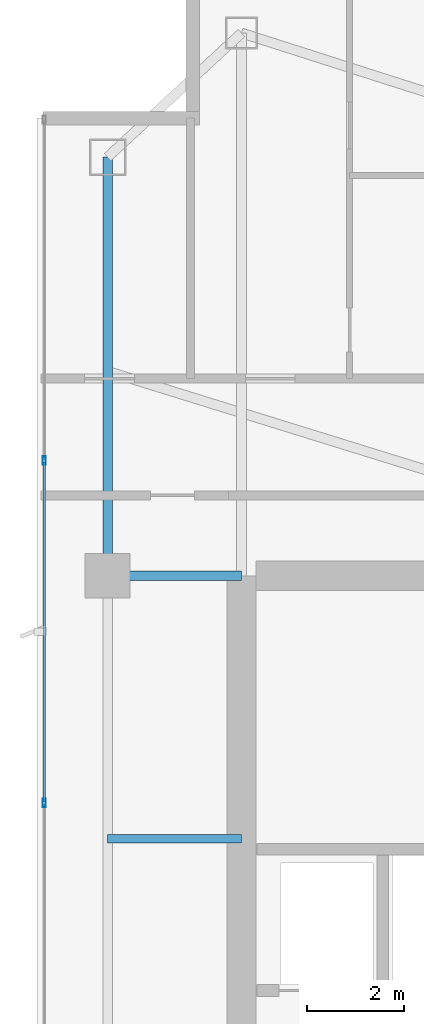
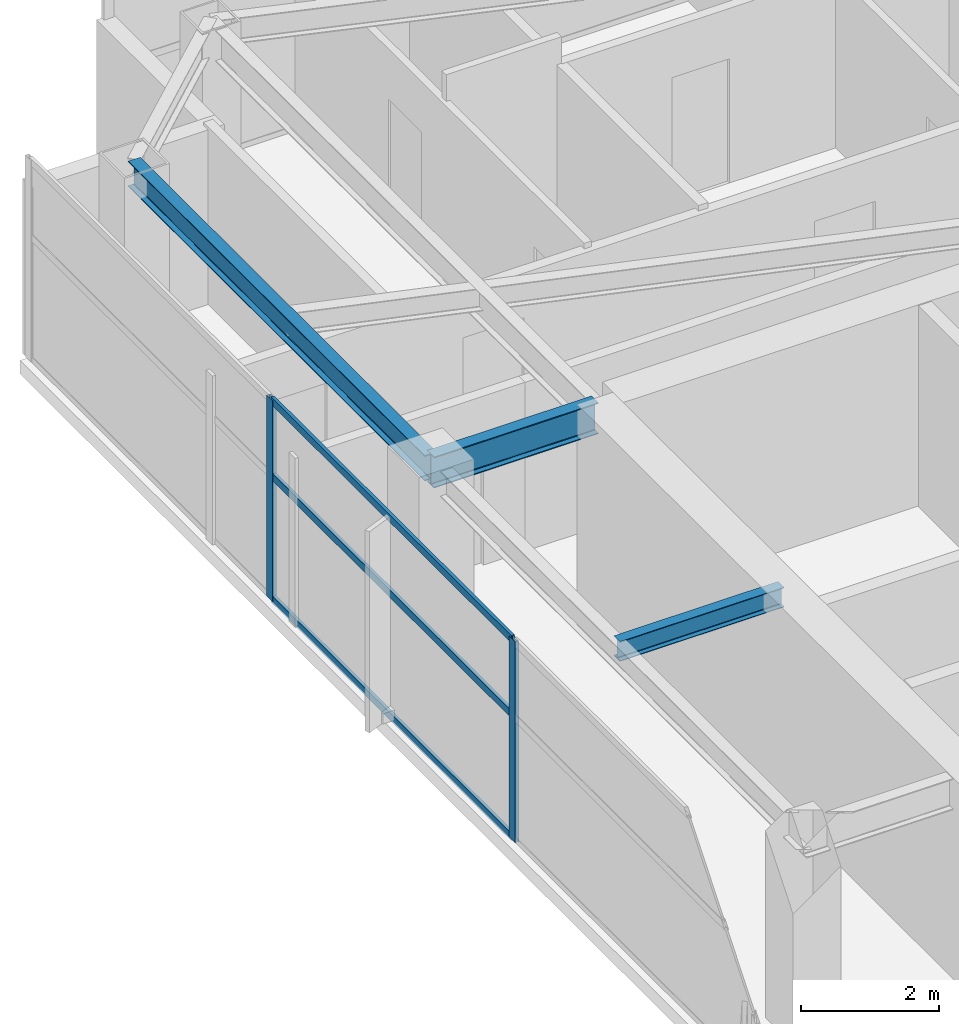
# One storey, part 16 of 27: 5 members, 3 beams, 1 element without a shape of its own.
"""IFC4 building model written with IfcOpenShell, lengths in metres."""

import ifcopenshell
import ifcopenshell.guid

model = None  # the IFC model being written
_history = None  # IfcOwnerHistory: only IFC2X3 demands one
_inside = {}  # id of a spatial element -> (the spatial element, [elements in it])
_under = {}  # id of a project, library or spatial element -> (it, [spatial elements below it])
_declared = {}  # id of a project -> (the project, [libraries it declares])
_typed = {}  # id of a type object -> (the type object, [elements of that type])
_made_of = {}  # id of a material, layer set ... -> (it, [elements and type objects made of it])


def new_model(schema):
    """Start an empty IFC model of exactly this schema.

    Asked for "IFC4X3", IfcOpenShell would pick the latest addendum, in which some entities
    have other attributes; the version numbers below select the first issue.
    IFC2X3 requires an IfcOwnerHistory on every rooted entity: one is made here for all.
    """
    global model, _history
    if schema == "IFC4X3":
        model = ifcopenshell.file(schema_version=(4, 3, 0, 0))
    else:
        model = ifcopenshell.file(schema=schema)
    _inside.clear()
    _under.clear()
    _declared.clear()
    _typed.clear()
    _made_of.clear()
    _history = None
    if model.schema == "IFC2X3":
        org = make("IfcOrganization", Name="unknown")
        user = make(
            "IfcPersonAndOrganization",
            ThePerson=make("IfcPerson", FamilyName="unknown"),
            TheOrganization=org,
        )
        app = make(
            "IfcApplication",
            ApplicationDeveloper=org,
            Version="unknown",
            ApplicationFullName="unknown",
            ApplicationIdentifier="unknown",
        )
        _history = make(
            "IfcOwnerHistory",
            OwningUser=user,
            OwningApplication=app,
            ChangeAction="ADDED",
            CreationDate=0,
        )
    return model


def make(cls, **values):
    """One entity of the class cls with the attributes given. An attribute that is None is left unset."""
    return model.create_entity(
        cls, **{name: value for name, value in values.items() if value is not None}
    )


def rooted(cls, **values):
    """An entity with a GlobalId (a new one), such as an element, a storey or a relation."""
    return make(cls, GlobalId=ifcopenshell.guid.new(), OwnerHistory=_history, **values)


def si_unit(unit_type, name, prefix=None):
    """IfcSIUnit, for example si_unit("LENGTHUNIT", "METRE", prefix="MILLI")."""
    return make("IfcSIUnit", UnitType=unit_type, Prefix=prefix, Name=name)


def assignment(units):
    """IfcUnitAssignment: the units of a project."""
    return None if units is None else make("IfcUnitAssignment", Units=units)


def point(xyz):
    """IfcCartesianPoint."""
    return None if xyz is None else make("IfcCartesianPoint", Coordinates=xyz)


def direction(xyz):
    """IfcDirection."""
    return None if xyz is None else make("IfcDirection", DirectionRatios=xyz)


def frame(location, z_axis=None, x_axis=None):
    """IfcAxis2Placement3D, a coordinate frame: its origin and axes. An axis left out is left unset."""
    return make(
        "IfcAxis2Placement3D",
        Location=point(location),
        Axis=direction(z_axis),
        RefDirection=direction(x_axis),
    )


def frame_2d(location, x_axis=None):
    """IfcAxis2Placement2D, a coordinate frame in the plane: its origin and x axis."""
    return make(
        "IfcAxis2Placement2D", Location=point(location), RefDirection=direction(x_axis)
    )


def origin():
    """The frame at (0, 0, 0) with its axes left unset."""
    return frame((0.0, 0.0, 0.0))


def origin_2d():
    """The frame at (0, 0) in the plane with its x axis left unset."""
    return frame_2d((0.0, 0.0))


def place(relative_to, where):
    """IfcLocalPlacement: puts the frame where relative to a parent placement (None: the world)."""
    return make(
        "IfcLocalPlacement", PlacementRelTo=relative_to, RelativePlacement=where
    )


def context(
    kind, dimensions, precision=None, world=None, true_north=None, identifier=None
):
    """IfcGeometricRepresentationContext, for example the 3D "Model" context."""
    return make(
        "IfcGeometricRepresentationContext",
        ContextIdentifier=identifier,
        ContextType=kind,
        CoordinateSpaceDimension=dimensions,
        Precision=precision,
        WorldCoordinateSystem=world,
        TrueNorth=true_north,
    )


def subcontext(parent, identifier, kind, view, scale=None):
    """IfcGeometricRepresentationSubContext, for example "Body" below "Model"."""
    return make(
        "IfcGeometricRepresentationSubContext",
        ContextIdentifier=identifier,
        ContextType=kind,
        ParentContext=parent,
        TargetScale=scale,
        TargetView=view,
    )


def project(units=None, contexts=None):
    """IfcProject with its units and contexts."""
    return rooted(
        "IfcProject",
        Name="project",
        RepresentationContexts=contexts,
        UnitsInContext=assignment(units),
    )


def spatial(cls, under=None, at=None, **own):
    """A site, building, storey or space (cls), placed at a placement, below another one or the project."""
    s = rooted(cls, ObjectPlacement=at, **own)
    if under is not None:
        _under.setdefault(under.id(), (under, []))[1].append(s)
    return s


def profile(cls, at=None, kind="AREA", **sizes):
    """A parametric profile (cls). Its sizes go by their IFC names, for example OverallWidth=200.0."""
    return make(cls, ProfileType=kind, Position=at, **sizes)


def hollow_rectangle(**sizes):
    """IfcRectangleHollowProfileDef."""
    return profile("IfcRectangleHollowProfileDef", **sizes)


def i_section(**sizes):
    """IfcIShapeProfileDef."""
    return profile("IfcIShapeProfileDef", **sizes)


def extrude(swept, where, along, depth):
    """IfcExtrudedAreaSolid: the profile swept, set in the frame where, extruded along a direction by depth."""
    return make(
        "IfcExtrudedAreaSolid",
        SweptArea=swept,
        Position=where,
        ExtrudedDirection=direction(along),
        Depth=depth,
    )


def shape(context_of_items, identifier, shape_type, items):
    """IfcShapeRepresentation: the items that make up one representation, for example the "Body"."""
    return make(
        "IfcShapeRepresentation",
        ContextOfItems=context_of_items,
        RepresentationIdentifier=identifier,
        RepresentationType=shape_type,
        Items=items,
    )


def material(Name=None, Category=None):
    """IfcMaterial."""
    return make("IfcMaterial", Name=Name, Category=Category)


def layer(
    of_material, thickness, ventilated=None, Name=None, Category=None, Priority=None
):
    """IfcMaterialLayer: one layer of a wall or slab, of a material (None: an air gap)."""
    return make(
        "IfcMaterialLayer",
        Material=of_material,
        LayerThickness=thickness,
        IsVentilated=ventilated,
        Name=Name,
        Category=Category,
        Priority=Priority,
    )


def layer_set(layers, Name=None):
    """IfcMaterialLayerSet."""
    return make("IfcMaterialLayerSet", MaterialLayers=layers, LayerSetName=Name)


def material_profile(
    of_material, cross_section, Name=None, Category=None, Priority=None
):
    """IfcMaterialProfile: a cross section and its material."""
    return make(
        "IfcMaterialProfile",
        Name=Name,
        Material=of_material,
        Profile=cross_section,
        Priority=Priority,
        Category=Category,
    )


def profile_set(profiles, Name=None, composite=None):
    """IfcMaterialProfileSet."""
    return make(
        "IfcMaterialProfileSet",
        Name=Name,
        MaterialProfiles=profiles,
        CompositeProfile=composite,
    )


def made_of(thing, what):
    """Note that an element or type object is made of a material, layer set ...; save() writes the relation."""
    if what is not None:
        _made_of.setdefault(what.id(), (what, []))[1].append(thing)
    return thing


def type_object(cls, material=None, **own):
    """A type object (cls), such as IfcWallType, which elements share."""
    return made_of(rooted(cls, **own), material)


def element(
    cls,
    number,
    at=None,
    inside=None,
    cuts=None,
    type_object=None,
    material=None,
    context=None,
    identifier="Body",
    shape_type=None,
    held_by="IfcProductDefinitionShape",
    body=None,
    shapes=None,
    **own,
):
    """One element of the class cls, such as IfcWall. Its Tag is "e" and its number.

    at: its placement. inside: the storey or other place that contains it. cuts: it is an
    opening in that element (IfcRelVoidsElement). A single representation is given by context,
    identifier, shape_type and body (its items); several are given by shapes. held_by: the class
    of the entity that holds the representations. save() writes the other relations.
    """
    e = rooted(cls, Tag="e%d" % number, ObjectPlacement=at, **own)
    if body is not None:
        shapes = [shape(context, identifier, shape_type, body)]
    if shapes is not None:
        e.Representation = make(held_by, Representations=shapes)
    if inside is not None:
        _inside.setdefault(inside.id(), (inside, []))[1].append(e)
    if cuts is not None:
        rooted(
            "IfcRelVoidsElement", RelatingBuildingElement=cuts, RelatedOpeningElement=e
        )
    if type_object is not None:
        _typed.setdefault(type_object.id(), (type_object, []))[1].append(e)
    return made_of(e, material)


def aggregate(whole, parts):
    """IfcRelAggregates: a whole, such as a stair, and the parts it consists of."""
    return rooted("IfcRelAggregates", RelatingObject=whole, RelatedObjects=parts)


def save(model, path):
    """Write the relations noted so far, then the file.

    IfcRelAggregates (storeys below a building ...), IfcRelContainedInSpatialStructure (elements
    in a storey), IfcRelDefinesByType, IfcRelAssociatesMaterial and IfcRelDeclares: one each for
    every whole, place, type object, material and project.
    """
    for whole, parts in _under.values():
        aggregate(whole, parts)
    for where, things in _inside.values():
        rooted(
            "IfcRelContainedInSpatialStructure",
            RelatedElements=things,
            RelatingStructure=where,
        )
    for kind, things in _typed.values():
        rooted("IfcRelDefinesByType", RelatedObjects=things, RelatingType=kind)
    for what, things in _made_of.values():
        rooted("IfcRelAssociatesMaterial", RelatedObjects=things, RelatingMaterial=what)
    for by, libraries in _declared.values():
        rooted("IfcRelDeclares", RelatingContext=by, RelatedDefinitions=libraries)
    model.write(path)


model = new_model("IFC4")

# Units and contexts
model_context = context("Model", 3, precision=1e-05, world=origin(), true_north=direction((0.0, 1.0)))
body_context = subcontext(model_context, "Body", "Model", "MODEL_VIEW")
ifc_project = project(units=[si_unit("LENGTHUNIT", "METRE"), si_unit("AREAUNIT", "SQUARE_METRE"), si_unit("VOLUMEUNIT", "CUBIC_METRE"), si_unit("PLANEANGLEUNIT", "RADIAN"), si_unit("MASSUNIT", "GRAM", prefix="KILO")], contexts=[model_context])

# Site, building, storey
site_placement = place(None, origin())
site = spatial("IfcSite", under=ifc_project, at=site_placement, CompositionType="ELEMENT")
building_placement = place(site_placement, origin())
building = spatial("IfcBuilding", under=site, at=building_placement, Name="Calvorn Quay Hotel", CompositionType="ELEMENT")
storey_placement = place(building_placement, frame((0.0, 0.0, 294.89990234375)))
storey = spatial("IfcBuildingStorey", under=building, at=storey_placement, Name="L73", CompositionType="ELEMENT", Elevation=294.89990234375)

# Beams
ifc_material_1 = material(Name="Steel Q355B", Category="steel")
ifc_material_profile_1 = material_profile(ifc_material_1, i_section(OverallWidth=0.199951171875, OverallDepth=0.550048828125, WebThickness=0.010009765625, FlangeThickness=0.01611328125, FilletRadius=0.01806640625, at=origin_2d()), Name="HN550x200x10x16")
ifc_profile_set_1 = profile_set([ifc_material_profile_1], Name="Steel Q355B")
beam_type_1 = type_object("IfcBeamType", Name="BM-GIRD-UPP", PredefinedType="BEAM", material=ifc_profile_set_1)
beam_1_placement = place(storey_placement, frame((1.449951171875, 38.39990234375, 3.26513671875), z_axis=(1.0, 0.0, 0.0), x_axis=(0.0, 1.0, 0.0)))
element("IfcBeam", 1, at=beam_1_placement, inside=storey, type_object=beam_type_1, Name="Beam BG-L73-W3", PredefinedType="BEAM", context=body_context, shape_type="SweptSolid", body=[
    extrude(i_section(OverallWidth=0.199951171875, OverallDepth=0.550048828125, WebThickness=0.010009765625, FlangeThickness=0.01611328125, FilletRadius=0.01806640625, at=origin_2d()), origin(), (0.0, 0.0, 1.0), 2.75),
])
ifc_material_2 = material(Name="Steel Q355B", Category="steel")
ifc_material_profile_2 = material_profile(ifc_material_2, i_section(OverallWidth=0.175048828125, OverallDepth=0.35009765625, WebThickness=0.007080078125, FlangeThickness=0.010986328125, FilletRadius=0.013916015625, at=origin_2d()), Name="HN350x175x7x11")
ifc_profile_set_2 = profile_set([ifc_material_profile_2], Name="Steel Q355B")
beam_type_2 = type_object("IfcBeamType", Name="BM-JOIST-SEC", PredefinedType="JOIST", material=ifc_profile_set_2)
beam_2_placement = place(storey_placement, frame((1.449951171875, 33.0, 3.364990234375), z_axis=(1.0, 0.0, 0.0), x_axis=(0.0, 1.0, 0.0)))
element("IfcBeam", 2, at=beam_2_placement, inside=storey, type_object=beam_type_2, Name="Beam BJ-L73-W4", PredefinedType="JOIST", context=body_context, shape_type="SweptSolid", body=[
    extrude(i_section(OverallWidth=0.175048828125, OverallDepth=0.35009765625, WebThickness=0.007080078125, FlangeThickness=0.010986328125, FilletRadius=0.013916015625, at=origin_2d()), origin(), (0.0, 0.0, 1.0), 2.75),
])
ifc_material_3 = material(Name="Steel Q355B", Category="steel")
ifc_material_profile_3 = material_profile(ifc_material_3, i_section(OverallWidth=0.199951171875, OverallDepth=0.449951171875, WebThickness=0.009033203125, FlangeThickness=0.013916015625, FilletRadius=0.01611328125, at=origin_2d()), Name="HN450x200x9x14")
ifc_profile_set_3 = profile_set([ifc_material_profile_3], Name="Steel Q355B")
beam_type_3 = type_object("IfcBeamType", Name="BM-SPANDREL-Z3", PredefinedType="SPANDREL", material=ifc_profile_set_3)
beam_3_placement = place(storey_placement, frame((1.449951171875, 38.39990234375, 3.315185546875), z_axis=(0.0, 1.0, 0.0), x_axis=(-1.0, 0.0, 0.0)))
element("IfcBeam", 3, at=beam_3_placement, inside=storey, type_object=beam_type_3, Name="Beam BSP-L73-W4", PredefinedType="SPANDREL", context=body_context, shape_type="SweptSolid", body=[
    extrude(i_section(OverallWidth=0.199951171875, OverallDepth=0.449951171875, WebThickness=0.009033203125, FlangeThickness=0.013916015625, FilletRadius=0.01611328125, at=origin_2d()), origin(), (0.0, 0.0, 1.0), 8.60009765625),
])

# Curtain wall, members
ifc_material_4 = material(Name="Champagne Bronze Anodised Aluminium and Low-E Glass", Category="aluminium")
ifc_layer = layer(ifc_material_4, 0.219970703125)
ifc_layer_set = layer_set([ifc_layer], Name="CW-SYS-Z4")
curtain_wall_type = type_object("IfcCurtainWallType", Name="CW-SYS-Z4", PredefinedType="NOTDEFINED", material=ifc_layer_set)
curtain_wall_placement = place(storey_placement, origin())
curtain_wall = element("IfcCurtainWall", 4, at=curtain_wall_placement, inside=storey, type_object=curtain_wall_type, Name="Tower West Curtain Wall (L73)", PredefinedType="NOTDEFINED")
ifc_material_5 = material(Name="Champagne Bronze Anodised Aluminium 6063-T6", Category="aluminium")
ifc_material_profile_4 = material_profile(ifc_material_5, hollow_rectangle(XDim=0.06494140625, YDim=0.169921875, WallThickness=0.00341796875, at=origin_2d()), Name="ALU-M170x65x3.5")
ifc_profile_set_4 = profile_set([ifc_material_profile_4], Name="Champagne Bronze Anodised Aluminium 6063-T6")
member_type_1 = type_object("IfcMemberType", Name="CW-SYS-Z4-MUL", PredefinedType="MULLION", material=ifc_profile_set_4)
member_1_placement = place(storey_placement, frame((0.14990234375, 33.7333984375, 0.0), z_axis=(0.0, 0.0, 1.0), x_axis=(-1.0, 0.0, 0.0)))
member_1 = element("IfcMember", 5, at=member_1_placement, type_object=member_type_1, Name="CW-L73-W mullion 5", PredefinedType="MULLION", context=body_context, shape_type="SweptSolid", body=[
    extrude(hollow_rectangle(XDim=0.06494140625, YDim=0.169921875, WallThickness=0.00341796875, at=origin_2d()), origin(), (0.0, 0.0, 1.0), 3.56005859375),
])
member_2_placement = place(storey_placement, frame((0.14990234375, 40.7666015625, 0.0), z_axis=(0.0, 0.0, 1.0), x_axis=(-1.0, 0.0, 0.0)))
member_2 = element("IfcMember", 6, at=member_2_placement, type_object=member_type_1, Name="CW-L73-W mullion 6", PredefinedType="MULLION", context=body_context, shape_type="SweptSolid", body=[
    extrude(hollow_rectangle(XDim=0.06494140625, YDim=0.169921875, WallThickness=0.00341796875, at=origin_2d()), origin(), (0.0, 0.0, 1.0), 3.56005859375),
])
ifc_material_6 = material(Name="Champagne Bronze Anodised Aluminium 6063-T6", Category="aluminium")
ifc_material_profile_5 = material_profile(ifc_material_6, hollow_rectangle(XDim=0.054931640625, YDim=0.1298828125, WallThickness=0.003173828125, at=origin_2d()), Name="ALU-T130x55x3.2")
ifc_profile_set_5 = profile_set([ifc_material_profile_5], Name="Champagne Bronze Anodised Aluminium 6063-T6")
member_type_2 = type_object("IfcMemberType", Name="CW-SYS-Z4-TRN", PredefinedType="USERDEFINED", material=ifc_profile_set_5)
member_3_placement = place(storey_placement, frame((0.14990234375, 33.763427734375, 0.030029296875), z_axis=(0.0, 1.0, 0.0), x_axis=(-1.0, 0.0, 0.0)))
member_3 = element("IfcMember", 7, at=member_3_placement, type_object=member_type_2, Name="CW-L73-W transom 5.1", ObjectType="TRANSOM", PredefinedType="USERDEFINED", context=body_context, shape_type="SweptSolid", body=[
    extrude(hollow_rectangle(XDim=0.054931640625, YDim=0.1298828125, WallThickness=0.003173828125, at=origin_2d()), origin(), (0.0, 0.0, 1.0), 6.97314453125),
])
member_4_placement = place(storey_placement, frame((0.14990234375, 33.763427734375, 2.2001953125), z_axis=(0.0, 1.0, 0.0), x_axis=(-1.0, 0.0, 0.0)))
member_4 = element("IfcMember", 8, at=member_4_placement, type_object=member_type_2, Name="CW-L73-W transom 5.2", ObjectType="TRANSOM", PredefinedType="USERDEFINED", context=body_context, shape_type="SweptSolid", body=[
    extrude(hollow_rectangle(XDim=0.054931640625, YDim=0.1298828125, WallThickness=0.003173828125, at=origin_2d()), origin(), (0.0, 0.0, 1.0), 6.97314453125),
])
member_5_placement = place(storey_placement, frame((0.14990234375, 33.763427734375, 3.530029296875), z_axis=(0.0, 1.0, 0.0), x_axis=(-1.0, 0.0, 0.0)))
member_5 = element("IfcMember", 9, at=member_5_placement, type_object=member_type_2, Name="CW-L73-W transom 5.3", ObjectType="TRANSOM", PredefinedType="USERDEFINED", context=body_context, shape_type="SweptSolid", body=[
    extrude(hollow_rectangle(XDim=0.054931640625, YDim=0.1298828125, WallThickness=0.003173828125, at=origin_2d()), origin(), (0.0, 0.0, 1.0), 6.97314453125),
])
aggregate(curtain_wall, [member_1, member_2, member_3, member_4, member_5])

save(model, "model.ifc")
